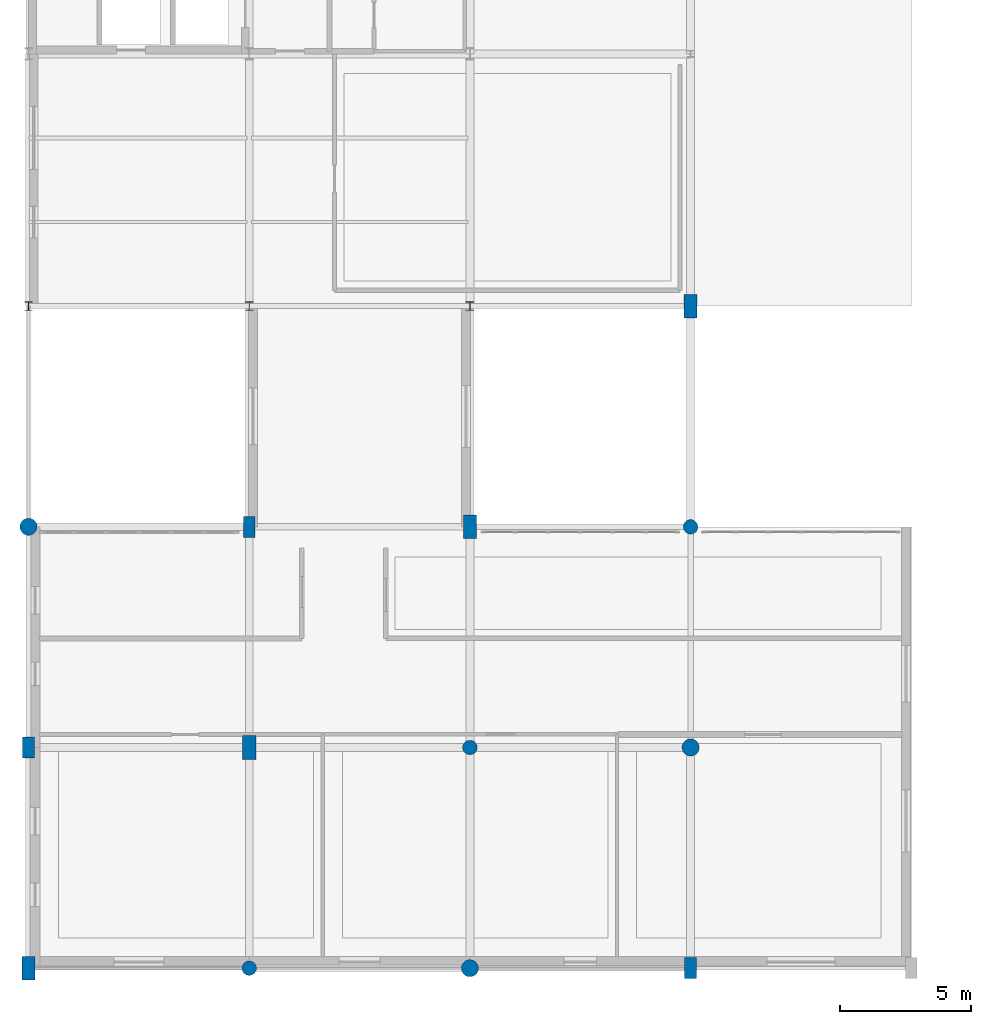
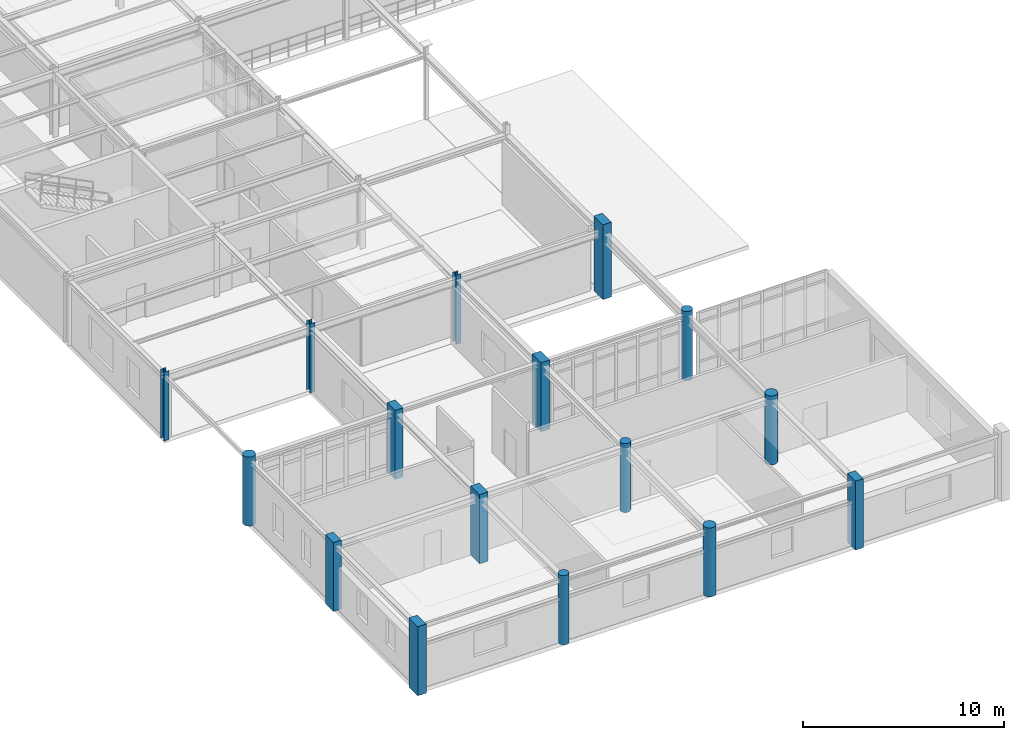
# One storey, part 1 of 90: 16 columns.
"""IFC4 building model written with IfcOpenShell, lengths in metres."""

from ifc_helpers import new_model, si_unit, derived_unit, direction, frame, origin, origin_2d, place, context, subcontext, project, spatial, rectangle, circle, i_section, extrude, material, material_profile, profile_set, type_object, element, save


model = new_model("IFC4")

# Units and contexts
model_context = context("Model", 3, precision=1e-05, world=origin(), true_north=direction((0.0, 1.0)))
body_context = subcontext(model_context, "Body", "Model", "MODEL_VIEW")
ifc_project = project(units=[si_unit("LENGTHUNIT", "METRE"), si_unit("AREAUNIT", "SQUARE_METRE"), si_unit("VOLUMEUNIT", "CUBIC_METRE"), si_unit("PLANEANGLEUNIT", "RADIAN"), si_unit("MASSUNIT", "GRAM", prefix="KILO"), derived_unit("THERMALTRANSMITTANCEUNIT", [(si_unit("POWERUNIT", "WATT"), 1), (si_unit("AREAUNIT", "SQUARE_METRE"), -1), (si_unit("THERMODYNAMICTEMPERATUREUNIT", "KELVIN"), -1)])], contexts=[model_context])

# Site, building, storey
site_placement = place(None, origin())
site = spatial("IfcSite", under=ifc_project, at=site_placement, CompositionType="ELEMENT")
building_placement = place(site_placement, origin())
building = spatial("IfcBuilding", under=site, at=building_placement, Name="Yasenodar Specialist Clinic", CompositionType="ELEMENT")
storey_placement = place(building_placement, frame((0.0, 0.0, 9.0)))
storey = spatial("IfcBuildingStorey", under=building, at=storey_placement, Name="L02", CompositionType="ELEMENT", Elevation=9.0)

# Columns
ifc_material_1 = material(Name="Concrete C35/45", Category="concrete")
ifc_material_profile_1 = material_profile(ifc_material_1, rectangle(XDim=0.449951171875, YDim=0.800048828125, at=origin_2d()), Name="RC 450x800")
ifc_profile_set_1 = profile_set([ifc_material_profile_1], Name="Concrete C35/45")
column_type_1 = type_object("IfcColumnType", Name="COL-RC-450x800", PredefinedType="COLUMN", material=ifc_profile_set_1)
for number, where, z_axis, x_axis, name in (
    (1, (0.0, 8.39990234375, 0.0), (0.0, 0.0, 1.0), (1.0, 0.0, 0.0), "L02 Column V2-002"),
    (2, (8.39990234375, 16.800048828125, 0.0), (0.0, 0.0, 1.0), (1.0, 0.0, 0.0), "L02 Column V2-018"),
    (3, (25.199951171875, 0.0, 0.0), (0.0, 0.0, 1.0), (1.0, 0.0, 0.0), "L02 Column V2-046"),
):
    element("IfcColumn", number, at=place(storey_placement, frame(where, z_axis=z_axis, x_axis=x_axis)), inside=storey, type_object=column_type_1, Name=name, PredefinedType="COLUMN", context=body_context, shape_type="SweptSolid", body=[
        extrude(rectangle(XDim=0.449951171875, YDim=0.800048828125, at=origin_2d()), origin(), (0.0, 0.0, 1.0), 4.199951171875),
    ])
ifc_material_profile_2 = material_profile(ifc_material_1, rectangle(XDim=0.5, YDim=0.89990234375, at=origin_2d()), Name="RC 500x900")
ifc_profile_set_2 = profile_set([ifc_material_profile_2], Name="Concrete C35/45")
column_type_2 = type_object("IfcColumnType", Name="COL-RC-500x900", PredefinedType="COLUMN", material=ifc_profile_set_2)
for number, where, z_axis, x_axis, name in (
    (4, (0.0, 0.0, 0.0), (0.0, 0.0, 1.0), (1.0, 0.0, 0.0), "L02 Column V2-001"),
    (5, (8.39990234375, 8.39990234375, 0.0), (0.0, 0.0, 1.0), (1.0, 0.0, 0.0), "L02 Column V2-017"),
    (6, (16.800048828125, 16.800048828125, 0.0), (0.0, 0.0, 1.0), (1.0, 0.0, 0.0), "L02 Column V2-033"),
):
    element("IfcColumn", number, at=place(storey_placement, frame(where, z_axis=z_axis, x_axis=x_axis)), inside=storey, type_object=column_type_2, Name=name, PredefinedType="COLUMN", context=body_context, shape_type="SweptSolid", body=[
        extrude(rectangle(XDim=0.5, YDim=0.89990234375, at=origin_2d()), origin(), (0.0, 0.0, 1.0), 4.199951171875),
    ])
column_placement = place(storey_placement, frame((25.199951171875, 25.199951171875, 0.0), z_axis=(0.0, 0.0, 1.0), x_axis=(1.0, 0.0, 0.0)))
element("IfcColumn", 7, at=column_placement, inside=storey, type_object=column_type_2, Name="L02 Column V2-049", PredefinedType="COLUMN", context=body_context, shape_type="SweptSolid", body=[
    extrude(rectangle(XDim=0.5, YDim=0.89990234375, at=origin_2d()), origin(), (0.0, 0.0, 1.0), 4.550048828125),
])
ifc_material_profile_3 = material_profile(ifc_material_1, circle(Radius=0.27490234375, at=origin_2d()), Name="RC D550")
ifc_profile_set_3 = profile_set([ifc_material_profile_3], Name="Concrete C35/45")
column_type_3 = type_object("IfcColumnType", Name="COL-RC-D550", PredefinedType="COLUMN", material=ifc_profile_set_3)
for number, where, z_axis, x_axis, name in (
    (8, (8.39990234375, 0.0, 0.0), (0.0, 0.0, 1.0), (1.0, 0.0, 0.0), "L02 Column V2-016"),
    (9, (16.800048828125, 8.39990234375, 0.0), (0.0, 0.0, 1.0), (1.0, 0.0, 0.0), "L02 Column V2-032"),
    (10, (25.199951171875, 16.800048828125, 0.0), (0.0, 0.0, 1.0), (1.0, 0.0, 0.0), "L02 Column V2-048"),
):
    element("IfcColumn", number, at=place(storey_placement, frame(where, z_axis=z_axis, x_axis=x_axis)), inside=storey, type_object=column_type_3, Name=name, PredefinedType="COLUMN", context=body_context, shape_type="SweptSolid", body=[
        extrude(circle(Radius=0.27490234375, at=origin_2d()), origin(), (0.0, 0.0, 1.0), 4.199951171875),
    ])
ifc_material_profile_4 = material_profile(ifc_material_1, circle(Radius=0.324951171875, at=origin_2d()), Name="RC D650")
ifc_profile_set_4 = profile_set([ifc_material_profile_4], Name="Concrete C35/45")
column_type_4 = type_object("IfcColumnType", Name="COL-RC-D650", PredefinedType="COLUMN", material=ifc_profile_set_4)
for number, where, z_axis, x_axis, name in (
    (11, (0.0, 16.800048828125, 0.0), (0.0, 0.0, 1.0), (1.0, 0.0, 0.0), "L02 Column V2-003"),
    (12, (16.800048828125, 0.0, 0.0), (0.0, 0.0, 1.0), (1.0, 0.0, 0.0), "L02 Column V2-031"),
    (13, (25.199951171875, 8.39990234375, 0.0), (0.0, 0.0, 1.0), (1.0, 0.0, 0.0), "L02 Column V2-047"),
):
    element("IfcColumn", number, at=place(storey_placement, frame(where, z_axis=z_axis, x_axis=x_axis)), inside=storey, type_object=column_type_4, Name=name, PredefinedType="COLUMN", context=body_context, shape_type="SweptSolid", body=[
        extrude(circle(Radius=0.324951171875, at=origin_2d()), origin(), (0.0, 0.0, 1.0), 4.199951171875),
    ])
ifc_material_2 = material(Name="Steel S355", Category="steel")
ifc_material_profile_5 = material_profile(ifc_material_2, i_section(OverallWidth=0.300048828125, OverallDepth=0.330078125, WebThickness=0.009521484375, FlangeThickness=0.0166015625, FilletRadius=0.027099609375, at=origin_2d()), Name="HEA 340")
ifc_profile_set_5 = profile_set([ifc_material_profile_5], Name="Steel S355")
column_type_5 = type_object("IfcColumnType", Name="COL-ST-HEA340", PredefinedType="COLUMN", material=ifc_profile_set_5)
for number, where, z_axis, x_axis, name in (
    (14, (0.0, 25.199951171875, 0.0), (0.0, 0.0, 1.0), (1.0, 0.0, 0.0), "L02 Column V4-004"),
    (15, (8.39990234375, 25.199951171875, 0.0), (0.0, 0.0, 1.0), (1.0, 0.0, 0.0), "L02 Column V4-019"),
    (16, (16.800048828125, 25.199951171875, 0.0), (0.0, 0.0, 1.0), (1.0, 0.0, 0.0), "L02 Column V4-034"),
):
    element("IfcColumn", number, at=place(storey_placement, frame(where, z_axis=z_axis, x_axis=x_axis)), inside=storey, type_object=column_type_5, Name=name, PredefinedType="COLUMN", context=body_context, shape_type="SweptSolid", body=[
        extrude(i_section(OverallWidth=0.300048828125, OverallDepth=0.330078125, WebThickness=0.009521484375, FlangeThickness=0.0166015625, FilletRadius=0.027099609375, at=origin_2d()), origin(), (0.0, 0.0, 1.0), 4.199951171875),
    ])

save(model, "model.ifc")
